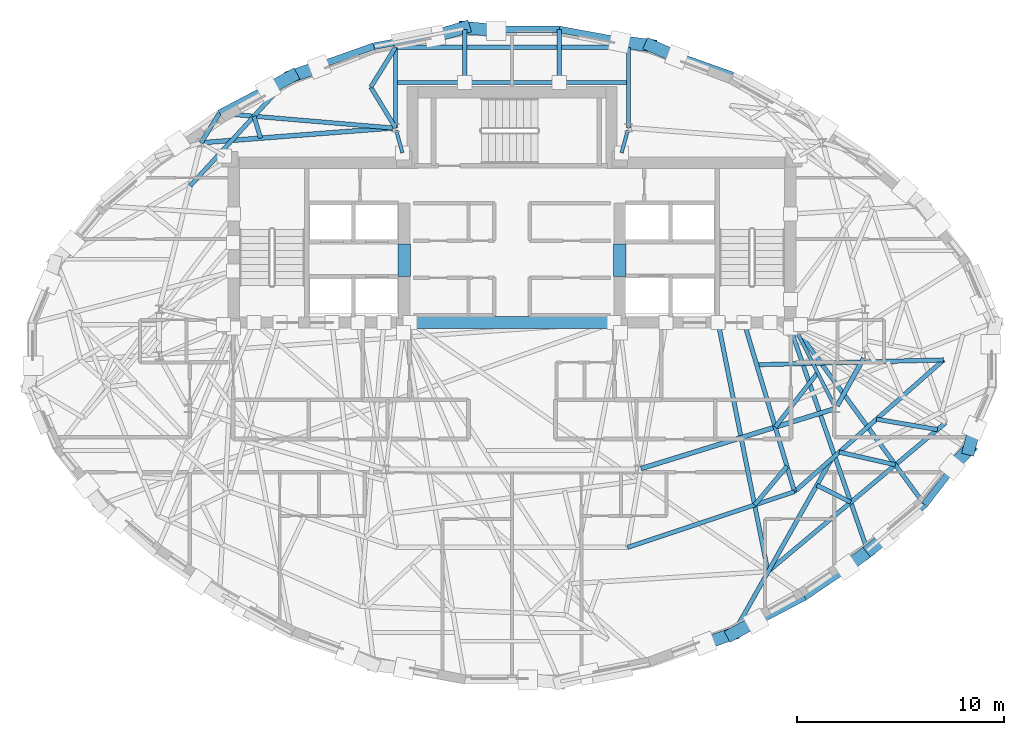
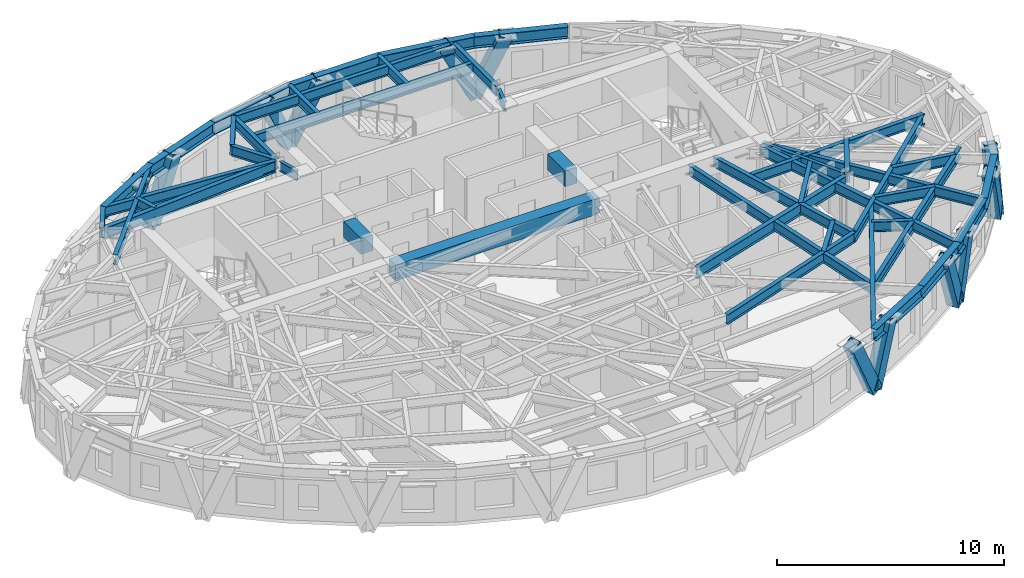
# One storey, part 3 of 14: 45 beams, 12 members.
"""IFC4 building model written with IfcOpenShell, lengths in metres."""

import ifcopenshell
import ifcopenshell.guid

model = None  # the IFC model being written
_history = None  # IfcOwnerHistory: only IFC2X3 demands one
_inside = {}  # id of a spatial element -> (the spatial element, [elements in it])
_under = {}  # id of a project, library or spatial element -> (it, [spatial elements below it])
_declared = {}  # id of a project -> (the project, [libraries it declares])
_typed = {}  # id of a type object -> (the type object, [elements of that type])
_made_of = {}  # id of a material, layer set ... -> (it, [elements and type objects made of it])


def new_model(schema):
    """Start an empty IFC model of exactly this schema.

    Asked for "IFC4X3", IfcOpenShell would pick the latest addendum, in which some entities
    have other attributes; the version numbers below select the first issue.
    IFC2X3 requires an IfcOwnerHistory on every rooted entity: one is made here for all.
    """
    global model, _history
    if schema == "IFC4X3":
        model = ifcopenshell.file(schema_version=(4, 3, 0, 0))
    else:
        model = ifcopenshell.file(schema=schema)
    _inside.clear()
    _under.clear()
    _declared.clear()
    _typed.clear()
    _made_of.clear()
    _history = None
    if model.schema == "IFC2X3":
        org = make("IfcOrganization", Name="unknown")
        user = make(
            "IfcPersonAndOrganization",
            ThePerson=make("IfcPerson", FamilyName="unknown"),
            TheOrganization=org,
        )
        app = make(
            "IfcApplication",
            ApplicationDeveloper=org,
            Version="unknown",
            ApplicationFullName="unknown",
            ApplicationIdentifier="unknown",
        )
        _history = make(
            "IfcOwnerHistory",
            OwningUser=user,
            OwningApplication=app,
            ChangeAction="ADDED",
            CreationDate=0,
        )
    return model


def make(cls, **values):
    """One entity of the class cls with the attributes given. An attribute that is None is left unset."""
    return model.create_entity(
        cls, **{name: value for name, value in values.items() if value is not None}
    )


def rooted(cls, **values):
    """An entity with a GlobalId (a new one), such as an element, a storey or a relation."""
    return make(cls, GlobalId=ifcopenshell.guid.new(), OwnerHistory=_history, **values)


def si_unit(unit_type, name, prefix=None):
    """IfcSIUnit, for example si_unit("LENGTHUNIT", "METRE", prefix="MILLI")."""
    return make("IfcSIUnit", UnitType=unit_type, Prefix=prefix, Name=name)


def assignment(units):
    """IfcUnitAssignment: the units of a project."""
    return None if units is None else make("IfcUnitAssignment", Units=units)


def point(xyz):
    """IfcCartesianPoint."""
    return None if xyz is None else make("IfcCartesianPoint", Coordinates=xyz)


def direction(xyz):
    """IfcDirection."""
    return None if xyz is None else make("IfcDirection", DirectionRatios=xyz)


def frame(location, z_axis=None, x_axis=None):
    """IfcAxis2Placement3D, a coordinate frame: its origin and axes. An axis left out is left unset."""
    return make(
        "IfcAxis2Placement3D",
        Location=point(location),
        Axis=direction(z_axis),
        RefDirection=direction(x_axis),
    )


def frame_2d(location, x_axis=None):
    """IfcAxis2Placement2D, a coordinate frame in the plane: its origin and x axis."""
    return make(
        "IfcAxis2Placement2D", Location=point(location), RefDirection=direction(x_axis)
    )


def origin():
    """The frame at (0, 0, 0) with its axes left unset."""
    return frame((0.0, 0.0, 0.0))


def origin_2d():
    """The frame at (0, 0) in the plane with its x axis left unset."""
    return frame_2d((0.0, 0.0))


def place(relative_to, where):
    """IfcLocalPlacement: puts the frame where relative to a parent placement (None: the world)."""
    return make(
        "IfcLocalPlacement", PlacementRelTo=relative_to, RelativePlacement=where
    )


def context(
    kind, dimensions, precision=None, world=None, true_north=None, identifier=None
):
    """IfcGeometricRepresentationContext, for example the 3D "Model" context."""
    return make(
        "IfcGeometricRepresentationContext",
        ContextIdentifier=identifier,
        ContextType=kind,
        CoordinateSpaceDimension=dimensions,
        Precision=precision,
        WorldCoordinateSystem=world,
        TrueNorth=true_north,
    )


def subcontext(parent, identifier, kind, view, scale=None):
    """IfcGeometricRepresentationSubContext, for example "Body" below "Model"."""
    return make(
        "IfcGeometricRepresentationSubContext",
        ContextIdentifier=identifier,
        ContextType=kind,
        ParentContext=parent,
        TargetScale=scale,
        TargetView=view,
    )


def project(units=None, contexts=None):
    """IfcProject with its units and contexts."""
    return rooted(
        "IfcProject",
        Name="project",
        RepresentationContexts=contexts,
        UnitsInContext=assignment(units),
    )


def spatial(cls, under=None, at=None, **own):
    """A site, building, storey or space (cls), placed at a placement, below another one or the project."""
    s = rooted(cls, ObjectPlacement=at, **own)
    if under is not None:
        _under.setdefault(under.id(), (under, []))[1].append(s)
    return s


def profile(cls, at=None, kind="AREA", **sizes):
    """A parametric profile (cls). Its sizes go by their IFC names, for example OverallWidth=200.0."""
    return make(cls, ProfileType=kind, Position=at, **sizes)


def rectangle(**sizes):
    """IfcRectangleProfileDef."""
    return profile("IfcRectangleProfileDef", **sizes)


def hollow_rectangle(**sizes):
    """IfcRectangleHollowProfileDef."""
    return profile("IfcRectangleHollowProfileDef", **sizes)


def i_section(**sizes):
    """IfcIShapeProfileDef."""
    return profile("IfcIShapeProfileDef", **sizes)


def extrude(swept, where, along, depth):
    """IfcExtrudedAreaSolid: the profile swept, set in the frame where, extruded along a direction by depth."""
    return make(
        "IfcExtrudedAreaSolid",
        SweptArea=swept,
        Position=where,
        ExtrudedDirection=direction(along),
        Depth=depth,
    )


def shape(context_of_items, identifier, shape_type, items):
    """IfcShapeRepresentation: the items that make up one representation, for example the "Body"."""
    return make(
        "IfcShapeRepresentation",
        ContextOfItems=context_of_items,
        RepresentationIdentifier=identifier,
        RepresentationType=shape_type,
        Items=items,
    )


def material(Name=None, Category=None):
    """IfcMaterial."""
    return make("IfcMaterial", Name=Name, Category=Category)


def material_profile(
    of_material, cross_section, Name=None, Category=None, Priority=None
):
    """IfcMaterialProfile: a cross section and its material."""
    return make(
        "IfcMaterialProfile",
        Name=Name,
        Material=of_material,
        Profile=cross_section,
        Priority=Priority,
        Category=Category,
    )


def profile_set(profiles, Name=None, composite=None):
    """IfcMaterialProfileSet."""
    return make(
        "IfcMaterialProfileSet",
        Name=Name,
        MaterialProfiles=profiles,
        CompositeProfile=composite,
    )


def made_of(thing, what):
    """Note that an element or type object is made of a material, layer set ...; save() writes the relation."""
    if what is not None:
        _made_of.setdefault(what.id(), (what, []))[1].append(thing)
    return thing


def type_object(cls, material=None, **own):
    """A type object (cls), such as IfcWallType, which elements share."""
    return made_of(rooted(cls, **own), material)


def element(
    cls,
    number,
    at=None,
    inside=None,
    cuts=None,
    type_object=None,
    material=None,
    context=None,
    identifier="Body",
    shape_type=None,
    held_by="IfcProductDefinitionShape",
    body=None,
    shapes=None,
    **own,
):
    """One element of the class cls, such as IfcWall. Its Tag is "e" and its number.

    at: its placement. inside: the storey or other place that contains it. cuts: it is an
    opening in that element (IfcRelVoidsElement). A single representation is given by context,
    identifier, shape_type and body (its items); several are given by shapes. held_by: the class
    of the entity that holds the representations. save() writes the other relations.
    """
    e = rooted(cls, Tag="e%d" % number, ObjectPlacement=at, **own)
    if body is not None:
        shapes = [shape(context, identifier, shape_type, body)]
    if shapes is not None:
        e.Representation = make(held_by, Representations=shapes)
    if inside is not None:
        _inside.setdefault(inside.id(), (inside, []))[1].append(e)
    if cuts is not None:
        rooted(
            "IfcRelVoidsElement", RelatingBuildingElement=cuts, RelatedOpeningElement=e
        )
    if type_object is not None:
        _typed.setdefault(type_object.id(), (type_object, []))[1].append(e)
    return made_of(e, material)


def aggregate(whole, parts):
    """IfcRelAggregates: a whole, such as a stair, and the parts it consists of."""
    return rooted("IfcRelAggregates", RelatingObject=whole, RelatedObjects=parts)


def save(model, path):
    """Write the relations noted so far, then the file.

    IfcRelAggregates (storeys below a building ...), IfcRelContainedInSpatialStructure (elements
    in a storey), IfcRelDefinesByType, IfcRelAssociatesMaterial and IfcRelDeclares: one each for
    every whole, place, type object, material and project.
    """
    for whole, parts in _under.values():
        aggregate(whole, parts)
    for where, things in _inside.values():
        rooted(
            "IfcRelContainedInSpatialStructure",
            RelatedElements=things,
            RelatingStructure=where,
        )
    for kind, things in _typed.values():
        rooted("IfcRelDefinesByType", RelatedObjects=things, RelatingType=kind)
    for what, things in _made_of.values():
        rooted("IfcRelAssociatesMaterial", RelatedObjects=things, RelatingMaterial=what)
    for by, libraries in _declared.values():
        rooted("IfcRelDeclares", RelatingContext=by, RelatedDefinitions=libraries)
    model.write(path)


model = new_model("IFC4")

# Units and contexts
model_context = context("Model", 3, precision=1e-05, world=origin(), true_north=direction((0.0, 1.0)))
body_context = subcontext(model_context, "Body", "Model", "MODEL_VIEW")
ifc_project = project(units=[si_unit("LENGTHUNIT", "METRE"), si_unit("AREAUNIT", "SQUARE_METRE"), si_unit("VOLUMEUNIT", "CUBIC_METRE"), si_unit("PLANEANGLEUNIT", "RADIAN"), si_unit("MASSUNIT", "GRAM", prefix="KILO")], contexts=[model_context])

# Site, building, storey
site_placement = place(None, origin())
site = spatial("IfcSite", under=ifc_project, at=site_placement, CompositionType="ELEMENT")
building_placement = place(site_placement, origin())
building = spatial("IfcBuilding", under=site, at=building_placement, Name="Keldmark Tower", CompositionType="ELEMENT")
storey_placement = place(building_placement, frame((0.0, 0.0, 216.300048828125)))
storey = spatial("IfcBuildingStorey", under=building, at=storey_placement, Name="L60", CompositionType="ELEMENT", Elevation=216.300048828125)

# Beams
ifc_material_1 = material(Name="Concrete C50/60", Category="concrete")
ifc_material_profile_1 = material_profile(ifc_material_1, rectangle(XDim=0.60009765625, YDim=0.85009765625, at=origin_2d()), Name="RCB600X850")
ifc_profile_set_1 = profile_set([ifc_material_profile_1], Name="Concrete C50/60")
beam_type_1 = type_object("IfcBeamType", Name="Core Coupling Beam RCB600X850", PredefinedType="USERDEFINED", material=ifc_profile_set_1)
for number, where, z_axis, x_axis, name in (
    (1, (-5.199951171875, 3.800048828125, 2.544921875), (0.0, 1.0, 0.0), (-1.0, 0.0, 0.0), "L60 West Core Coupling Beam"),
    (2, (5.199951171875, 3.800048828125, 2.544921875), (0.0, 1.0, 0.0), (-1.0, 0.0, 0.0), "L60 East Core Coupling Beam"),
):
    element("IfcBeam", number, at=place(storey_placement, frame(where, z_axis=z_axis, x_axis=x_axis)), inside=storey, type_object=beam_type_1, Name=name, ObjectType="COUPLING BEAM", PredefinedType="USERDEFINED", context=body_context, shape_type="SweptSolid", body=[
        extrude(rectangle(XDim=0.60009765625, YDim=0.85009765625, at=origin_2d()), origin(), (0.0, 0.0, 1.0), 1.550048828125),
    ])
beam_1_placement = place(storey_placement, frame((-5.199951171875, 1.574951171875, 2.544921875), z_axis=(1.0, 0.0, 0.0), x_axis=(0.0, 1.0, 0.0)))
element("IfcBeam", 3, at=beam_1_placement, inside=storey, type_object=beam_type_1, Name="L60 Central South Core Coupling Beam", ObjectType="COUPLING BEAM", PredefinedType="USERDEFINED", context=body_context, shape_type="SweptSolid", body=[
    extrude(rectangle(XDim=0.60009765625, YDim=0.85009765625, at=origin_2d()), origin(), (0.0, 0.0, 1.0), 10.39990234375),
])

# Members
ifc_material_2 = material(Name="Steel ASTM A572 Grade 50", Category="steel")
ifc_material_profile_2 = material_profile(ifc_material_2, hollow_rectangle(XDim=0.60009765625, YDim=0.60009765625, WallThickness=0.034912109375, at=origin_2d()), Name="BOX600X600X35")
ifc_profile_set_2 = profile_set([ifc_material_profile_2], Name="Steel ASTM A572 Grade 50")
member_type = type_object("IfcMemberType", Name="Diagrid Zone 4 Brace BOX600X600X35", PredefinedType="BRACE", material=ifc_profile_set_2)
member_1_placement = place(storey_placement, frame((6.676025390625, 14.93701171875, -0.260009765625), z_axis=(0.376470155589, -0.163645327187, 0.911860970127), x_axis=(0.398649590278, 0.917103322517, 0.0)))
element("IfcMember", 4, at=member_1_placement, inside=storey, type_object=member_type, Name="L60 Perimeter Diagrid Brace 03B", PredefinedType="BRACE", context=body_context, shape_type="SweptSolid", body=[
    extrude(hollow_rectangle(XDim=0.60009765625, YDim=0.60009765625, WallThickness=0.034912109375, at=origin_2d()), origin(), (0.0, 0.0, 1.0), 3.410400390625),
])
member_2_placement = place(storey_placement, frame((6.68701171875, 14.9326171875, -0.260009765625), z_axis=(-0.434085863676, 0.051824824974, 0.899379591982), x_axis=(-0.118546551055, -0.99294849576, 0.0)))
element("IfcMember", 5, at=member_2_placement, inside=storey, type_object=member_type, Name="L60 Perimeter Diagrid Brace 04A", PredefinedType="BRACE", context=body_context, shape_type="SweptSolid", body=[
    extrude(hollow_rectangle(XDim=0.60009765625, YDim=0.60009765625, WallThickness=0.034912109375, at=origin_2d()), origin(), (0.0, 0.0, 1.0), 3.457763671875),
])
member_3_placement = place(storey_placement, frame((-2.30908203125, 15.800048828125, -0.260009765625), z_axis=(0.44402328644, -0.044051044398, 0.894931744094), x_axis=(0.098724208893, 0.99511483286, 0.0)))
element("IfcMember", 6, at=member_3_placement, inside=storey, type_object=member_type, Name="L60 Perimeter Diagrid Brace 04B", PredefinedType="BRACE", context=body_context, shape_type="SweptSolid", body=[
    extrude(hollow_rectangle(XDim=0.60009765625, YDim=0.60009765625, WallThickness=0.034912109375, at=origin_2d()), origin(), (0.0, 0.0, 1.0), 3.474853515625),
])
member_4_placement = place(storey_placement, frame((-2.297119140625, 15.800048828125, -0.260009765625), z_axis=(-0.416849662536, -0.122120333706, 0.900734690649), x_axis=(0.281143781266, -0.959665657537, 0.0)))
element("IfcMember", 7, at=member_4_placement, inside=storey, type_object=member_type, Name="L60 Perimeter Diagrid Brace 05A", PredefinedType="BRACE", context=body_context, shape_type="SweptSolid", body=[
    extrude(hollow_rectangle(XDim=0.60009765625, YDim=0.60009765625, WallThickness=0.034912109375, at=origin_2d()), origin(), (0.0, 0.0, 1.0), 3.45263671875),
])
member_5_placement = place(storey_placement, frame((-10.628662109375, 13.450927734375, -0.260009765625), z_axis=(0.390826735566, 0.133135635131, 0.91078502701), x_axis=(-0.322455304438, 0.946584690685, 0.0)))
element("IfcMember", 8, at=member_5_placement, inside=storey, type_object=member_type, Name="L60 Perimeter Diagrid Brace 05B", PredefinedType="BRACE", context=body_context, shape_type="SweptSolid", body=[
    extrude(hollow_rectangle(XDim=0.60009765625, YDim=0.60009765625, WallThickness=0.034912109375, at=origin_2d()), origin(), (0.0, 0.0, 1.0), 3.41455078125),
])
member_6_placement = place(storey_placement, frame((-10.61767578125, 13.45556640625, -0.260009765625), z_axis=(-0.340566520541, -0.185046449856, 0.921830926191), x_axis=(0.47742558124, -0.878672188235, 0.0)))
element("IfcMember", 9, at=member_6_placement, inside=storey, type_object=member_type, Name="L60 Perimeter Diagrid Brace 06A", PredefinedType="BRACE", context=body_context, shape_type="SweptSolid", body=[
    extrude(hollow_rectangle(XDim=0.60009765625, YDim=0.60009765625, WallThickness=0.034912109375, at=origin_2d()), origin(), (0.0, 0.0, 1.0), 3.37353515625),
])
member_7_placement = place(storey_placement, frame((10.628662109375, -13.450927734375, -0.260009765625), z_axis=(-0.390826735566, -0.133135635131, 0.91078502701), x_axis=(0.322455304438, -0.946584690685, 0.0)))
element("IfcMember", 10, at=member_7_placement, inside=storey, type_object=member_type, Name="L60 Perimeter Diagrid Brace 13B", PredefinedType="BRACE", context=body_context, shape_type="SweptSolid", body=[
    extrude(hollow_rectangle(XDim=0.60009765625, YDim=0.60009765625, WallThickness=0.034912109375, at=origin_2d()), origin(), (0.0, 0.0, 1.0), 3.41455078125),
])
member_8_placement = place(storey_placement, frame((10.61767578125, -13.45556640625, -0.260009765625), z_axis=(0.340566520541, 0.185046449856, 0.921830926191), x_axis=(-0.47742558124, 0.878672188235, 0.0)))
element("IfcMember", 11, at=member_8_placement, inside=storey, type_object=member_type, Name="L60 Perimeter Diagrid Brace 14A", PredefinedType="BRACE", context=body_context, shape_type="SweptSolid", body=[
    extrude(hollow_rectangle(XDim=0.60009765625, YDim=0.60009765625, WallThickness=0.034912109375, at=origin_2d()), origin(), (0.0, 0.0, 1.0), 3.37353515625),
])
member_9_placement = place(storey_placement, frame((17.109375, -9.498046875, -0.260009765625), z_axis=(-0.292510553181, -0.217207911398, 0.931267039846), x_axis=(0.596172516376, -0.802856357462, 0.0)))
element("IfcMember", 12, at=member_9_placement, inside=storey, type_object=member_type, Name="L60 Perimeter Diagrid Brace 14B", PredefinedType="BRACE", context=body_context, shape_type="SweptSolid", body=[
    extrude(hollow_rectangle(XDim=0.60009765625, YDim=0.60009765625, WallThickness=0.034912109375, at=origin_2d()), origin(), (0.0, 0.0, 1.0), 3.33935546875),
])
member_10_placement = place(storey_placement, frame((17.10107421875, -9.50634765625, -0.260009765625), z_axis=(0.284634478032, 0.22716653564, 0.931331616021), x_axis=(-0.623788719083, 0.781593010425, 0.0)))
element("IfcMember", 13, at=member_10_placement, inside=storey, type_object=member_type, Name="L60 Perimeter Diagrid Brace 15A", PredefinedType="BRACE", context=body_context, shape_type="SweptSolid", body=[
    extrude(hollow_rectangle(XDim=0.60009765625, YDim=0.60009765625, WallThickness=0.034912109375, at=origin_2d()), origin(), (0.0, 0.0, 1.0), 3.339111328125),
])
member_11_placement = place(storey_placement, frame((22.048583984375, -4.518798828125, -0.260009765625), z_axis=(-0.246743949948, -0.261249680973, 0.933202029228), x_axis=(0.727001844794, -0.686635505684, 0.0)))
element("IfcMember", 14, at=member_11_placement, inside=storey, type_object=member_type, Name="L60 Perimeter Diagrid Brace 15B", PredefinedType="BRACE", context=body_context, shape_type="SweptSolid", body=[
    extrude(hollow_rectangle(XDim=0.60009765625, YDim=0.60009765625, WallThickness=0.034912109375, at=origin_2d()), origin(), (0.0, 0.0, 1.0), 3.33251953125),
])
member_12_placement = place(storey_placement, frame((22.044189453125, -4.52978515625, -0.260009765625), z_axis=(0.080760808944, 0.310103658651, 0.947266283909), x_axis=(-0.967720697177, 0.25202510243, 0.0)))
element("IfcMember", 15, at=member_12_placement, inside=storey, type_object=member_type, Name="L60 Perimeter Diagrid Brace 16A", PredefinedType="BRACE", context=body_context, shape_type="SweptSolid", body=[
    extrude(hollow_rectangle(XDim=0.60009765625, YDim=0.60009765625, WallThickness=0.034912109375, at=origin_2d()), origin(), (0.0, 0.0, 1.0), 3.282958984375),
])

# Beams
ifc_material_3 = material(Name="Steel ASTM A992 Grade 50", Category="steel")
ifc_material_profile_3 = material_profile(ifc_material_3, i_section(OverallWidth=0.22802734375, OverallDepth=0.60302734375, WebThickness=0.010498046875, FlangeThickness=0.014892578125, at=origin_2d()), Name="W24X68")
ifc_profile_set_3 = profile_set([ifc_material_profile_3], Name="Steel ASTM A992 Grade 50")
beam_type_2 = type_object("IfcBeamType", Name="Primary Floor Girder W24X68", PredefinedType="BEAM", material=ifc_profile_set_3)
beam_2_placement = place(storey_placement, frame((-5.75830078125, 10.956298828125, 2.66845703125), z_axis=(-0.997037147832, -0.076921556421, 0.0), x_axis=(0.076921556421, -0.997037147832, 0.0)))
element("IfcBeam", 16, at=beam_2_placement, inside=storey, type_object=beam_type_2, Name="L60 Floor Ring Girder FG-R04", PredefinedType="BEAM", context=body_context, shape_type="SweptSolid", body=[
    extrude(i_section(OverallWidth=0.22802734375, OverallDepth=0.60302734375, WebThickness=0.010498046875, FlangeThickness=0.014892578125, at=origin_2d()), origin(), (0.0, 0.0, 1.0), 9.125),
])
beam_3_placement = place(storey_placement, frame((6.223388671875, -5.471435546875, 2.66845703125), z_axis=(0.955383255089, 0.295368982622, 0.0), x_axis=(-0.295368982622, 0.955383255089, 0.0)))
element("IfcBeam", 17, at=beam_3_placement, inside=storey, type_object=beam_type_2, Name="L60 Floor Ring Girder FG-R10", PredefinedType="BEAM", context=body_context, shape_type="SweptSolid", body=[
    extrude(i_section(OverallWidth=0.22802734375, OverallDepth=0.60302734375, WebThickness=0.010498046875, FlangeThickness=0.014892578125, at=origin_2d()), origin(), (0.0, 0.0, 1.0), 9.69140625),
])
beam_4_placement = place(storey_placement, frame((15.68408203125, -2.44482421875, 2.66845703125), z_axis=(0.484719680408, 0.874669555561, 0.0), x_axis=(-0.874669555561, 0.484719680408, 0.0)))
element("IfcBeam", 18, at=beam_4_placement, inside=storey, type_object=beam_type_2, Name="L60 Floor Ring Girder FG-R11", PredefinedType="BEAM", context=body_context, shape_type="SweptSolid", body=[
    extrude(i_section(OverallWidth=0.22802734375, OverallDepth=0.60302734375, WebThickness=0.010498046875, FlangeThickness=0.014892578125, at=origin_2d()), origin(), (0.0, 0.0, 1.0), 2.627685546875),
])
ifc_material_4 = material(Name="Steel ASTM A992 Grade 50", Category="steel")
ifc_material_profile_4 = material_profile(ifc_material_4, i_section(OverallWidth=0.166015625, OverallDepth=0.529052734375, WebThickness=0.009765625, FlangeThickness=0.013671875, at=origin_2d()), Name="W21X50")
ifc_profile_set_4 = profile_set([ifc_material_profile_4], Name="Steel ASTM A992 Grade 50")
beam_type_3 = type_object("IfcBeamType", Name="Radial Tie Girder W21X50", PredefinedType="BEAM", material=ifc_profile_set_4)
for number, where, z_axis, x_axis, name in (
    (19, (5.581298828125, 10.83203125, 2.70556640625), (-0.265936023434, -0.963990680163, 0.0), (0.963990680163, -0.265936023434, 0.0), "L60 Floor Radial Girder FG-C03"),
    (20, (-5.581298828125, 10.83203125, 2.70556640625), (0.265936023434, -0.963990680163, 0.0), (0.963990680163, 0.265936023434, 0.0), "L60 Floor Radial Girder FG-C04"),
):
    element("IfcBeam", number, at=place(storey_placement, frame(where, z_axis=z_axis, x_axis=x_axis)), inside=storey, type_object=beam_type_3, Name=name, PredefinedType="BEAM", context=body_context, shape_type="SweptSolid", body=[
        extrude(i_section(OverallWidth=0.166015625, OverallDepth=0.529052734375, WebThickness=0.009765625, FlangeThickness=0.013671875, at=origin_2d()), origin(), (0.0, 0.0, 1.0), 1.113525390625),
    ])
beam_5_placement = place(storey_placement, frame((15.552734375, -2.442626953125, 2.70556640625), z_axis=(-0.453004410574, 0.89150827478, 0.0), x_axis=(-0.89150827478, -0.453004410574, 0.0)))
element("IfcBeam", 21, at=beam_5_placement, inside=storey, type_object=beam_type_3, Name="L60 Floor Radial Girder FG-C11", PredefinedType="BEAM", context=body_context, shape_type="SweptSolid", body=[
    extrude(i_section(OverallWidth=0.166015625, OverallDepth=0.529052734375, WebThickness=0.009765625, FlangeThickness=0.013671875, at=origin_2d()), origin(), (0.0, 0.0, 1.0), 3.990234375),
])
ifc_material_5 = material(Name="Steel ASTM A992 Grade 50", Category="steel")
ifc_material_profile_5 = material_profile(ifc_material_5, i_section(OverallWidth=0.2099609375, OverallDepth=0.537109375, WebThickness=0.010986328125, FlangeThickness=0.017333984375, at=origin_2d()), Name="W21X68")
ifc_profile_set_5 = profile_set([ifc_material_profile_5], Name="Steel ASTM A992 Grade 50")
beam_type_4 = type_object("IfcBeamType", Name="Radial Tie Girder W21X68", PredefinedType="BEAM", material=ifc_profile_set_5)
beam_6_placement = place(storey_placement, frame((14.7392578125, -0.841796875, 2.701416015625), z_axis=(-0.613585078734, -0.789628615968, 0.0), x_axis=(0.789628615968, -0.613585078734, 0.0)))
element("IfcBeam", 22, at=beam_6_placement, inside=storey, type_object=beam_type_4, Name="L60 Framing Pin Header PH-005", PredefinedType="BEAM", context=body_context, shape_type="SweptSolid", body=[
    extrude(i_section(OverallWidth=0.2099609375, OverallDepth=0.537109375, WebThickness=0.010986328125, FlangeThickness=0.017333984375, at=origin_2d()), origin(), (0.0, 0.0, 1.0), 3.328369140625),
])
beam_7_placement = place(storey_placement, frame((11.19287109375, 1.574951171875, 2.701416015625), z_axis=(0.285727051834, -0.958311041286, 0.0), x_axis=(0.958311041286, 0.285727051834, 0.0)))
element("IfcBeam", 23, at=beam_7_placement, inside=storey, type_object=beam_type_4, Name="L60 Sub-Ring Step Girder STP1-M11", PredefinedType="BEAM", context=body_context, shape_type="SweptSolid", body=[
    extrude(i_section(OverallWidth=0.2099609375, OverallDepth=0.537109375, WebThickness=0.010986328125, FlangeThickness=0.017333984375, at=origin_2d()), origin(), (0.0, 0.0, 1.0), 8.5146484375),
])
beam_8_placement = place(storey_placement, frame((11.801025390625, -0.46484375, 2.701416015625), z_axis=(0.999654668097, 0.026278214379, 0.0), x_axis=(-0.026278214379, 0.999654668097, 0.0)))
element("IfcBeam", 24, at=beam_8_placement, inside=storey, type_object=beam_type_4, Name="L60 Sub-Ring Step Girder STP1-M12", PredefinedType="BEAM", context=body_context, shape_type="SweptSolid", body=[
    extrude(i_section(OverallWidth=0.2099609375, OverallDepth=0.537109375, WebThickness=0.010986328125, FlangeThickness=0.017333984375, at=origin_2d()), origin(), (0.0, 0.0, 1.0), 9.021240234375),
])
beam_9_placement = place(storey_placement, frame((5.5693359375, -9.27099609375, 2.701416015625), z_axis=(0.948654546152, 0.316314008646, 0.0), x_axis=(-0.316314008646, 0.948654546152, 0.0)))
element("IfcBeam", 25, at=beam_9_placement, inside=storey, type_object=beam_type_4, Name="L60 Perimeter Collector Ring Beam CRG1-M10", PredefinedType="BEAM", context=body_context, shape_type="SweptSolid", body=[
    extrude(i_section(OverallWidth=0.2099609375, OverallDepth=0.537109375, WebThickness=0.010986328125, FlangeThickness=0.017333984375, at=origin_2d()), origin(), (0.0, 0.0, 1.0), 8.492431640625),
])
beam_10_placement = place(storey_placement, frame((13.625732421875, -6.584716796875, 2.701416015625), z_axis=(0.749328498529, 0.662198460654, 0.0), x_axis=(-0.662198460654, 0.749328498529, 0.0)))
element("IfcBeam", 26, at=beam_10_placement, inside=storey, type_object=beam_type_4, Name="L60 Perimeter Collector Ring Beam CRG1-M11", PredefinedType="BEAM", context=body_context, shape_type="SweptSolid", body=[
    extrude(i_section(OverallWidth=0.2099609375, OverallDepth=0.537109375, WebThickness=0.010986328125, FlangeThickness=0.017333984375, at=origin_2d()), origin(), (0.0, 0.0, 1.0), 9.599853515625),
])
beam_11_placement = place(storey_placement, frame((13.2607421875, -5.360595703125, 2.701416015625), z_axis=(-0.641289842423, -0.76729872801, 0.0), x_axis=(0.76729872801, -0.641289842423, 0.0)))
element("IfcBeam", 27, at=beam_11_placement, inside=storey, type_object=beam_type_4, Name="L60 Framing Pin Header PH-011", PredefinedType="BEAM", context=body_context, shape_type="SweptSolid", body=[
    extrude(i_section(OverallWidth=0.2099609375, OverallDepth=0.537109375, WebThickness=0.010986328125, FlangeThickness=0.017333984375, at=origin_2d()), origin(), (0.0, 0.0, 1.0), 2.431640625),
])
beam_12_placement = place(storey_placement, frame((9.939208984375, 1.574951171875, 2.701416015625), z_axis=(0.196311579783, -0.980541566505, 0.0), x_axis=(0.980541566505, 0.196311579783, 0.0)))
element("IfcBeam", 28, at=beam_12_placement, inside=storey, type_object=beam_type_4, Name="L60 Sub-Ring Step Girder STP2-M11", PredefinedType="BEAM", context=body_context, shape_type="SweptSolid", body=[
    extrude(i_section(OverallWidth=0.2099609375, OverallDepth=0.537109375, WebThickness=0.010986328125, FlangeThickness=0.017333984375, at=origin_2d()), origin(), (0.0, 0.0, 1.0), 12.2509765625),
])
beam_13_placement = place(storey_placement, frame((12.34423828125, -10.437744140625, 2.701416015625), z_axis=(0.766630626537, 0.642088375892, 0.0), x_axis=(-0.642088375892, 0.766630626537, 0.0)))
element("IfcBeam", 29, at=beam_13_placement, inside=storey, type_object=beam_type_4, Name="L60 Perimeter Collector Ring Beam CRG2-M11", PredefinedType="BEAM", context=body_context, shape_type="SweptSolid", body=[
    extrude(i_section(OverallWidth=0.2099609375, OverallDepth=0.537109375, WebThickness=0.010986328125, FlangeThickness=0.017333984375, at=origin_2d()), origin(), (0.0, 0.0, 1.0), 11.17578125),
])
beam_14_placement = place(storey_placement, frame((-14.995849609375, 10.24365234375, 2.701416015625), z_axis=(0.527173822506, 0.849757471791, 0.0), x_axis=(-0.849757471791, 0.527173822506, 0.0)))
element("IfcBeam", 30, at=beam_14_placement, inside=storey, type_object=beam_type_4, Name="L60 Perimeter Column Bracket RT-12", PredefinedType="BEAM", context=body_context, shape_type="SweptSolid", body=[
    extrude(i_section(OverallWidth=0.2099609375, OverallDepth=0.537109375, WebThickness=0.010986328125, FlangeThickness=0.017333984375, at=origin_2d()), origin(), (0.0, 0.0, 1.0), 1.671875),
])
beam_15_placement = place(storey_placement, frame((15.424072265625, -4.995361328125, 2.701416015625), z_axis=(-0.490922930867, -0.871203005016, 0.0), x_axis=(0.871203005016, -0.490922930867, 0.0)))
element("IfcBeam", 31, at=beam_15_placement, inside=storey, type_object=beam_type_4, Name="L60 Perimeter Radial Tie Girder RT-27", PredefinedType="BEAM", context=body_context, shape_type="SweptSolid", body=[
    extrude(i_section(OverallWidth=0.2099609375, OverallDepth=0.537109375, WebThickness=0.010986328125, FlangeThickness=0.017333984375, at=origin_2d()), origin(), (0.0, 0.0, 1.0), 9.755126953125),
])
beam_16_placement = place(storey_placement, frame((14.705810546875, -6.270263671875, 2.701416015625), z_axis=(0.892953031619, -0.450149845409, 0.0), x_axis=(0.450149845409, 0.892953031619, 0.0)))
element("IfcBeam", 32, at=beam_16_placement, inside=storey, type_object=beam_type_4, Name="L60 Framing Pin Header PH-030", PredefinedType="BEAM", context=body_context, shape_type="SweptSolid", body=[
    extrude(i_section(OverallWidth=0.2099609375, OverallDepth=0.537109375, WebThickness=0.010986328125, FlangeThickness=0.017333984375, at=origin_2d()), origin(), (0.0, 0.0, 1.0), 1.82763671875),
])
beam_17_placement = place(storey_placement, frame((13.425048828125, 1.300048828125, 2.701416015625), z_axis=(0.327875486938, -0.944720945605, 0.0), x_axis=(0.944720945605, 0.327875486938, 0.0)))
element("IfcBeam", 33, at=beam_17_placement, inside=storey, type_object=beam_type_4, Name="L60 Perimeter Radial Tie Girder RT-29", PredefinedType="BEAM", context=body_context, shape_type="SweptSolid", body=[
    extrude(i_section(OverallWidth=0.2099609375, OverallDepth=0.537109375, WebThickness=0.010986328125, FlangeThickness=0.017333984375, at=origin_2d()), origin(), (0.0, 0.0, 1.0), 11.5087890625),
])
beam_18_placement = place(storey_placement, frame((15.78369140625, -4.677490234375, 2.701416015625), z_axis=(0.975364742575, -0.220598320351, 0.0), x_axis=(0.220598320351, 0.975364742575, 0.0)))
element("IfcBeam", 34, at=beam_18_placement, inside=storey, type_object=beam_type_4, Name="L60 Framing Pin Header PH-031", PredefinedType="BEAM", context=body_context, shape_type="SweptSolid", body=[
    extrude(i_section(OverallWidth=0.2099609375, OverallDepth=0.537109375, WebThickness=0.010986328125, FlangeThickness=0.017333984375, at=origin_2d()), origin(), (0.0, 0.0, 1.0), 2.775634765625),
])
beam_19_placement = place(storey_placement, frame((13.60009765625, 1.39990234375, 2.701416015625), z_axis=(0.590194430147, -0.807261131619, 0.0), x_axis=(0.807261131619, 0.590194430147, 0.0)))
element("IfcBeam", 35, at=beam_19_placement, inside=storey, type_object=beam_type_4, Name="L60 Perimeter Radial Tie Girder RT-30", PredefinedType="BEAM", context=body_context, shape_type="SweptSolid", body=[
    extrude(i_section(OverallWidth=0.2099609375, OverallDepth=0.537109375, WebThickness=0.010986328125, FlangeThickness=0.017333984375, at=origin_2d()), origin(), (0.0, 0.0, 1.0), 10.669189453125),
])
beam_20_placement = place(storey_placement, frame((17.58203125, -3.08837890625, 2.701416015625), z_axis=(0.985667053201, -0.168702282838, 0.0), x_axis=(0.168702282838, 0.985667053201, 0.0)))
element("IfcBeam", 36, at=beam_20_placement, inside=storey, type_object=beam_type_4, Name="L60 Framing Pin Header PH-032", PredefinedType="BEAM", context=body_context, shape_type="SweptSolid", body=[
    extrude(i_section(OverallWidth=0.2099609375, OverallDepth=0.537109375, WebThickness=0.010986328125, FlangeThickness=0.017333984375, at=origin_2d()), origin(), (0.0, 0.0, 1.0), 2.979736328125),
])
for number, where, z_axis, x_axis, name in (
    (37, (-5.61865234375, 10.967041015625, 2.701416015625), (0.0, 1.0, 0.0), (-1.0, 0.0, 0.0), "L60 North Column Cantilever Girder West FG-TCN-W"),
    (38, (5.61865234375, 10.967041015625, 2.701416015625), (0.0, 1.0, 0.0), (-1.0, 0.0, 0.0), "L60 North Column Cantilever Girder East FG-TCN-E"),
):
    element("IfcBeam", number, at=place(storey_placement, frame(where, z_axis=z_axis, x_axis=x_axis)), inside=storey, type_object=beam_type_4, Name=name, PredefinedType="BEAM", context=body_context, shape_type="SweptSolid", body=[
        extrude(i_section(OverallWidth=0.2099609375, OverallDepth=0.537109375, WebThickness=0.010986328125, FlangeThickness=0.017333984375, at=origin_2d()), origin(), (0.0, 0.0, 1.0), 3.880126953125),
    ])
for number, where, z_axis, x_axis, name in (
    (39, (-5.61865234375, 14.84716796875, 2.701416015625), (1.0, 0.0, 0.0), (0.0, 1.0, 0.0), "L60 North Outer Header Girder FG-TCN-H1"),
    (40, (-5.61865234375, 13.14990234375, 2.701416015625), (1.0, 0.0, 0.0), (0.0, 1.0, 0.0), "L60 North Inner Header Girder FG-TCN-H0"),
):
    element("IfcBeam", number, at=place(storey_placement, frame(where, z_axis=z_axis, x_axis=x_axis)), inside=storey, type_object=beam_type_4, Name=name, PredefinedType="BEAM", context=body_context, shape_type="SweptSolid", body=[
        extrude(i_section(OverallWidth=0.2099609375, OverallDepth=0.537109375, WebThickness=0.010986328125, FlangeThickness=0.017333984375, at=origin_2d()), origin(), (0.0, 0.0, 1.0), 11.2373046875),
    ])
for number, where, z_axis, x_axis, name in (
    (41, (2.281005859375, 13.14990234375, 2.701416015625), (0.0, 1.0, 0.0), (-1.0, 0.0, 0.0), "L60 North Continuous Radial Girder RT-08N"),
    (42, (-2.281005859375, 13.14990234375, 2.701416015625), (0.0, 1.0, 0.0), (-1.0, 0.0, 0.0), "L60 North Continuous Radial Girder RT-09N"),
):
    element("IfcBeam", number, at=place(storey_placement, frame(where, z_axis=z_axis, x_axis=x_axis)), inside=storey, type_object=beam_type_4, Name=name, PredefinedType="BEAM", context=body_context, shape_type="SweptSolid", body=[
        extrude(i_section(OverallWidth=0.2099609375, OverallDepth=0.537109375, WebThickness=0.010986328125, FlangeThickness=0.017333984375, at=origin_2d()), origin(), (0.0, 0.0, 1.0), 2.556884765625),
    ])
beam_21_placement = place(storey_placement, frame((-5.61865234375, 10.967041015625, 2.701416015625), z_axis=(-0.52054492656, 0.853834281013, 0.0), x_axis=(-0.853834281013, -0.52054492656, 0.0)))
element("IfcBeam", 43, at=beam_21_placement, inside=storey, type_object=beam_type_4, Name="L60 Column Step Bracket RT-10RS", PredefinedType="BEAM", context=body_context, shape_type="SweptSolid", body=[
    extrude(i_section(OverallWidth=0.2099609375, OverallDepth=0.537109375, WebThickness=0.010986328125, FlangeThickness=0.017333984375, at=origin_2d()), origin(), (0.0, 0.0, 1.0), 2.2919921875),
])
beam_22_placement = place(storey_placement, frame((-6.811767578125, 12.924072265625, 2.701416015625), z_axis=(0.527193674653, 0.849745155565, 0.0), x_axis=(-0.849745155565, 0.527193674653, 0.0)))
element("IfcBeam", 44, at=beam_22_placement, inside=storey, type_object=beam_type_4, Name="L60 Column Step Chord RT-10RK", PredefinedType="BEAM", context=body_context, shape_type="SweptSolid", body=[
    extrude(i_section(OverallWidth=0.2099609375, OverallDepth=0.537109375, WebThickness=0.010986328125, FlangeThickness=0.017333984375, at=origin_2d()), origin(), (0.0, 0.0, 1.0), 2.26318359375),
])
beam_23_placement = place(storey_placement, frame((-5.75830078125, 10.956298828125, 2.701416015625), z_axis=(-0.996429757878, 0.084425929759, 0.0), x_axis=(-0.084425929759, -0.996429757878, 0.0)))
element("IfcBeam", 45, at=beam_23_placement, inside=storey, type_object=beam_type_4, Name="L60 Straddling Support Chord RT-11RB", PredefinedType="BEAM", context=body_context, shape_type="SweptSolid", body=[
    extrude(i_section(OverallWidth=0.2099609375, OverallDepth=0.537109375, WebThickness=0.010986328125, FlangeThickness=0.017333984375, at=origin_2d()), origin(), (0.0, 0.0, 1.0), 8.38623046875),
])
beam_24_placement = place(storey_placement, frame((-12.126708984375, 10.465087890625, 2.701416015625), z_axis=(-0.286617380556, 0.958045133156, 0.0), x_axis=(-0.958045133156, -0.286617380556, 0.0)))
element("IfcBeam", 46, at=beam_24_placement, inside=storey, type_object=beam_type_4, Name="L60 Framing Pin Header PH-034", PredefinedType="BEAM", context=body_context, shape_type="SweptSolid", body=[
    extrude(i_section(OverallWidth=0.2099609375, OverallDepth=0.537109375, WebThickness=0.010986328125, FlangeThickness=0.017333984375, at=origin_2d()), origin(), (0.0, 0.0, 1.0), 1.10400390625),
])
beam_25_placement = place(storey_placement, frame((-15.5205078125, 8.1669921875, 2.701416015625), z_axis=(0.675895913057, 0.736997092744, 0.0), x_axis=(-0.736997092744, 0.675895913057, 0.0)))
element("IfcBeam", 47, at=beam_25_placement, inside=storey, type_object=beam_type_4, Name="L60 Perimeter Radial Tie Girder RT-11R", PredefinedType="BEAM", context=body_context, shape_type="SweptSolid", body=[
    extrude(i_section(OverallWidth=0.2099609375, OverallDepth=0.537109375, WebThickness=0.010986328125, FlangeThickness=0.017333984375, at=origin_2d()), origin(), (0.0, 0.0, 1.0), 7.228271484375),
])
ifc_material_6 = material(Name="Steel ASTM A992 Grade 50", Category="steel")
ifc_material_profile_6 = material_profile(ifc_material_6, i_section(OverallWidth=0.326904296875, OverallDepth=0.6220703125, WebThickness=0.015380859375, FlangeThickness=0.0244140625, at=origin_2d()), Name="W24X131")
ifc_profile_set_6 = profile_set([ifc_material_profile_6], Name="Steel ASTM A992 Grade 50")
beam_type_5 = type_object("IfcBeamType", Name="Spandrel Ring Beam W24X131", PredefinedType="SPANDREL", material=ifc_profile_set_6)
beam_26_placement = place(storey_placement, frame((10.635009765625, 13.494140625, 2.658935546875), z_axis=(-0.942599100789, 0.333926541609, 0.0), x_axis=(-0.333926541609, -0.942599100789, 0.0)))
element("IfcBeam", 48, at=beam_26_placement, inside=storey, type_object=beam_type_5, Name="L60 Perimeter Spandrel Ring Beam SRB-06", PredefinedType="SPANDREL", context=body_context, shape_type="SweptSolid", body=[
    extrude(i_section(OverallWidth=0.326904296875, OverallDepth=0.6220703125, WebThickness=0.015380859375, FlangeThickness=0.0244140625, at=origin_2d()), origin(), (0.0, 0.0, 1.0), 4.2119140625),
])
beam_27_placement = place(storey_placement, frame((6.664794921875, 14.900634765625, 2.658935546875), z_axis=(-0.983508612793, 0.180861296472, 0.0), x_axis=(-0.180861296472, -0.983508612793, 0.0)))
element("IfcBeam", 49, at=beam_27_placement, inside=storey, type_object=beam_type_5, Name="L60 Perimeter Spandrel Ring Beam SRB-07", PredefinedType="SPANDREL", context=body_context, shape_type="SweptSolid", body=[
    extrude(i_section(OverallWidth=0.326904296875, OverallDepth=0.6220703125, WebThickness=0.015380859375, FlangeThickness=0.0244140625, at=origin_2d()), origin(), (0.0, 0.0, 1.0), 4.457275390625),
])
beam_28_placement = place(storey_placement, frame((2.281005859375, 15.706787109375, 2.658935546875), z_axis=(-1.0, 0.0, 0.0), x_axis=(0.0, -1.0, 0.0)))
element("IfcBeam", 50, at=beam_28_placement, inside=storey, type_object=beam_type_5, Name="L60 Perimeter Spandrel Ring Beam SRB-08", PredefinedType="SPANDREL", context=body_context, shape_type="SweptSolid", body=[
    extrude(i_section(OverallWidth=0.326904296875, OverallDepth=0.6220703125, WebThickness=0.015380859375, FlangeThickness=0.0244140625, at=origin_2d()), origin(), (0.0, 0.0, 1.0), 4.56201171875),
])
beam_29_placement = place(storey_placement, frame((-2.281005859375, 15.706787109375, 2.658935546875), z_axis=(-0.983508612793, -0.180861296472, 0.0), x_axis=(0.180861296472, -0.983508612793, 0.0)))
element("IfcBeam", 51, at=beam_29_placement, inside=storey, type_object=beam_type_5, Name="L60 Perimeter Spandrel Ring Beam SRB-09", PredefinedType="SPANDREL", context=body_context, shape_type="SweptSolid", body=[
    extrude(i_section(OverallWidth=0.326904296875, OverallDepth=0.6220703125, WebThickness=0.015380859375, FlangeThickness=0.0244140625, at=origin_2d()), origin(), (0.0, 0.0, 1.0), 4.457275390625),
])
beam_30_placement = place(storey_placement, frame((-6.664794921875, 14.900634765625, 2.658935546875), z_axis=(-0.942599100789, -0.333926541609, 0.0), x_axis=(0.333926541609, -0.942599100789, 0.0)))
element("IfcBeam", 52, at=beam_30_placement, inside=storey, type_object=beam_type_5, Name="L60 Perimeter Spandrel Ring Beam SRB-10", PredefinedType="SPANDREL", context=body_context, shape_type="SweptSolid", body=[
    extrude(i_section(OverallWidth=0.326904296875, OverallDepth=0.6220703125, WebThickness=0.015380859375, FlangeThickness=0.0244140625, at=origin_2d()), origin(), (0.0, 0.0, 1.0), 4.2119140625),
])
for number, where, z_axis, x_axis, name in (
    (53, (-10.635009765625, 13.494140625, 2.658935546875), (-0.885073090843, -0.465452063982, 0.0), (0.465452063982, -0.885073090843, 0.0), "L60 Perimeter Spandrel Ring Beam SRB-11"),
    (54, (10.635009765625, -13.494140625, 2.658935546875), (0.885073090843, 0.465452063982, 0.0), (-0.465452063982, 0.885073090843, 0.0), "L60 Perimeter Spandrel Ring Beam SRB-27"),
):
    element("IfcBeam", number, at=place(storey_placement, frame(where, z_axis=z_axis, x_axis=x_axis)), inside=storey, type_object=beam_type_5, Name=name, PredefinedType="SPANDREL", context=body_context, shape_type="SweptSolid", body=[
        extrude(i_section(OverallWidth=0.326904296875, OverallDepth=0.6220703125, WebThickness=0.015380859375, FlangeThickness=0.0244140625, at=origin_2d()), origin(), (0.0, 0.0, 1.0), 3.931396484375),
    ])
beam_31_placement = place(storey_placement, frame((14.114501953125, -11.664306640625, 2.658935546875), z_axis=(0.827588821514, 0.561334786473, 0.0), x_axis=(-0.561334786473, 0.827588821514, 0.0)))
element("IfcBeam", 55, at=beam_31_placement, inside=storey, type_object=beam_type_5, Name="L60 Perimeter Spandrel Ring Beam SRB-28", PredefinedType="SPANDREL", context=body_context, shape_type="SweptSolid", body=[
    extrude(i_section(OverallWidth=0.326904296875, OverallDepth=0.6220703125, WebThickness=0.015380859375, FlangeThickness=0.0244140625, at=origin_2d()), origin(), (0.0, 0.0, 1.0), 3.7265625),
])
beam_32_placement = place(storey_placement, frame((17.198486328125, -9.572509765625, 2.658935546875), z_axis=(0.752791825906, 0.65825866257, 0.0), x_axis=(-0.65825866257, 0.752791825906, 0.0)))
element("IfcBeam", 56, at=beam_32_placement, inside=storey, type_object=beam_type_5, Name="L60 Perimeter Spandrel Ring Beam SRB-29", PredefinedType="SPANDREL", context=body_context, shape_type="SweptSolid", body=[
    extrude(i_section(OverallWidth=0.326904296875, OverallDepth=0.6220703125, WebThickness=0.015380859375, FlangeThickness=0.0244140625, at=origin_2d()), origin(), (0.0, 0.0, 1.0), 3.584716796875),
])
beam_33_placement = place(storey_placement, frame((19.89697265625, -7.212890625, 2.658935546875), z_axis=(0.61008909013, 0.792332822811, 0.0), x_axis=(-0.792332822811, 0.61008909013, 0.0)))
element("IfcBeam", 57, at=beam_33_placement, inside=storey, type_object=beam_type_5, Name="L60 Perimeter Spandrel Ring Beam SRB-30", PredefinedType="SPANDREL", context=body_context, shape_type="SweptSolid", body=[
    extrude(i_section(OverallWidth=0.326904296875, OverallDepth=0.6220703125, WebThickness=0.015380859375, FlangeThickness=0.0244140625, at=origin_2d()), origin(), (0.0, 0.0, 1.0), 3.398681640625),
])

save(model, "model.ifc")
